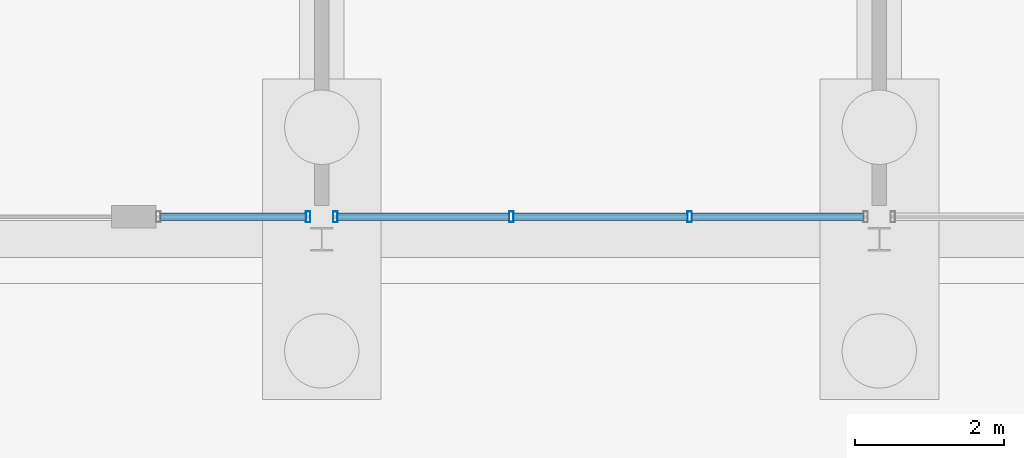
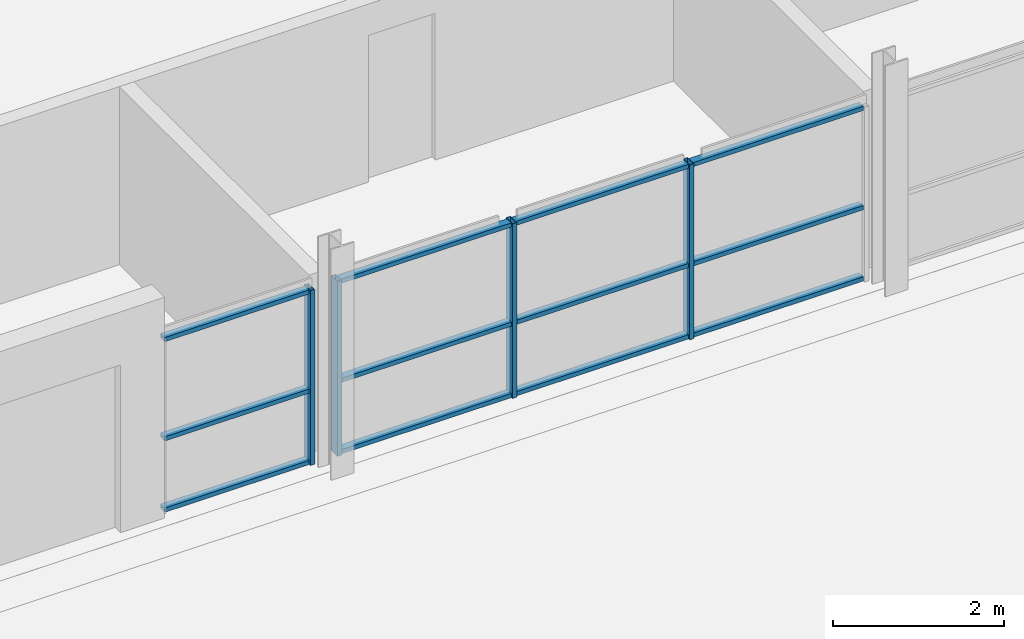
# One storey, part 61 of 130: 16 members, 2 elements without a shape of their own.
"""IFC4 building model written with IfcOpenShell, lengths in metres."""

from ifc_helpers import new_model, si_unit, direction, frame, origin, origin_2d, place, context, subcontext, project, spatial, hollow_rectangle, extrude, material, material_profile, profile_set, type_object, element, aggregate, save


model = new_model("IFC4")

# Units and contexts
model_context = context("Model", 3, precision=1e-05, world=origin(), true_north=direction((0.0, 1.0)))
body_context = subcontext(model_context, "Body", "Model", "MODEL_VIEW")
ifc_project = project(units=[si_unit("LENGTHUNIT", "METRE"), si_unit("AREAUNIT", "SQUARE_METRE"), si_unit("VOLUMEUNIT", "CUBIC_METRE"), si_unit("PLANEANGLEUNIT", "RADIAN"), si_unit("MASSUNIT", "GRAM", prefix="KILO")], contexts=[model_context])

# Site, building, storey
site_placement = place(None, origin())
site = spatial("IfcSite", under=ifc_project, at=site_placement, CompositionType="ELEMENT")
building_placement = place(site_placement, origin())
building = spatial("IfcBuilding", under=site, at=building_placement, Name="Parallax Yard Mobility Hub", CompositionType="ELEMENT")
storey_placement = place(building_placement, origin())
storey = spatial("IfcBuildingStorey", under=building, at=storey_placement, Name="L00", CompositionType="ELEMENT", Elevation=0.0)

# Curtain wall, member
ifc_material_1 = material(Name="Aluminium and glass curtain wall", Category="aluminium")
curtain_wall_type = type_object("IfcCurtainWallType", Name="Curtain wall, aluminium stick system", PredefinedType="NOTDEFINED", material=ifc_material_1)
curtain_wall_1_placement = place(storey_placement, origin())
curtain_wall_1 = element("IfcCurtainWall", 1, at=curtain_wall_1_placement, inside=storey, type_object=curtain_wall_type, Name="Curtain wall CW21 level L00 bay 15", PredefinedType="NOTDEFINED")
ifc_material_2 = material(Name="Aluminium 6063-T6 anodised", Category="aluminium")
ifc_material_profile_1 = material_profile(ifc_material_2, hollow_rectangle(XDim=0.14990234375, YDim=0.06005859375, WallThickness=0.00390625, at=origin_2d()), Name="RHS 60x150x4")
ifc_profile_set_1 = profile_set([ifc_material_profile_1], Name="Aluminium 6063-T6 anodised")
member_type_1 = type_object("IfcMemberType", Name="Curtain wall mullion RHS 60x150x4", PredefinedType="MULLION", material=ifc_profile_set_1)
member_1_placement = place(storey_placement, frame((157.31640625, 112.800048828125, 0.0), z_axis=(0.0, 0.0, 1.0), x_axis=(0.0, 1.0, 0.0)))
member_1 = element("IfcMember", 2, at=member_1_placement, type_object=member_type_1, Name="CW21 mullion 2", PredefinedType="MULLION", context=body_context, shape_type="SweptSolid", body=[
    extrude(hollow_rectangle(XDim=0.14990234375, YDim=0.06005859375, WallThickness=0.00390625, at=origin_2d()), origin(), (0.0, 0.0, 1.0), 2.5),
])

# Curtain wall, members
curtain_wall_2_placement = place(storey_placement, origin())
curtain_wall_2 = element("IfcCurtainWall", 3, at=curtain_wall_2_placement, inside=storey, type_object=curtain_wall_type, Name="Curtain wall CW22 level L00 bay 16", PredefinedType="NOTDEFINED")
member_2_placement = place(storey_placement, frame((157.68359375, 112.800048828125, 0.0), z_axis=(0.0, 0.0, 1.0), x_axis=(0.0, 1.0, 0.0)))
member_2 = element("IfcMember", 4, at=member_2_placement, type_object=member_type_1, Name="CW22 mullion 1", PredefinedType="MULLION", context=body_context, shape_type="SweptSolid", body=[
    extrude(hollow_rectangle(XDim=0.14990234375, YDim=0.06005859375, WallThickness=0.00390625, at=origin_2d()), origin(), (0.0, 0.0, 1.0), 2.5),
])
member_3_placement = place(storey_placement, frame((160.05126953125, 112.800048828125, 0.0), z_axis=(0.0, 0.0, 1.0), x_axis=(0.0, 1.0, 0.0)))
member_3 = element("IfcMember", 5, at=member_3_placement, type_object=member_type_1, Name="CW22 mullion 2", PredefinedType="MULLION", context=body_context, shape_type="SweptSolid", body=[
    extrude(hollow_rectangle(XDim=0.14990234375, YDim=0.06005859375, WallThickness=0.00390625, at=origin_2d()), origin(), (0.0, 0.0, 1.0), 2.5),
])
member_4_placement = place(storey_placement, frame((162.44873046875, 112.800048828125, 0.0), z_axis=(0.0, 0.0, 1.0), x_axis=(0.0, 1.0, 0.0)))
member_4 = element("IfcMember", 6, at=member_4_placement, type_object=member_type_1, Name="CW22 mullion 3", PredefinedType="MULLION", context=body_context, shape_type="SweptSolid", body=[
    extrude(hollow_rectangle(XDim=0.14990234375, YDim=0.06005859375, WallThickness=0.00390625, at=origin_2d()), origin(), (0.0, 0.0, 1.0), 2.5),
])

# Member
ifc_material_profile_2 = material_profile(ifc_material_2, hollow_rectangle(XDim=0.10009765625, YDim=0.06005859375, WallThickness=0.00390625, at=origin_2d()), Name="RHS 60x100x4")
ifc_profile_set_2 = profile_set([ifc_material_profile_2], Name="Aluminium 6063-T6 anodised")
member_type_2 = type_object("IfcMemberType", Name="Curtain wall transom RHS 60x100x4", PredefinedType="USERDEFINED", material=ifc_profile_set_2)
member_5_placement = place(storey_placement, frame((155.331787109375, 112.800048828125, 0.030029296875), z_axis=(1.0, 0.0, 0.0), x_axis=(0.0, 1.0, 0.0)))
member_5 = element("IfcMember", 7, at=member_5_placement, type_object=member_type_2, Name="CW21 transom 1.1", ObjectType="TRANSOM", PredefinedType="USERDEFINED", context=body_context, shape_type="SweptSolid", body=[
    extrude(hollow_rectangle(XDim=0.10009765625, YDim=0.06005859375, WallThickness=0.00390625, at=origin_2d()), origin(), (0.0, 0.0, 1.0), 1.954833984375),
])

member_6_placement = place(storey_placement, frame((155.331787109375, 112.800048828125, 1.050048828125), z_axis=(1.0, 0.0, 0.0), x_axis=(0.0, 1.0, 0.0)))
member_6 = element("IfcMember", 8, at=member_6_placement, type_object=member_type_2, Name="CW21 transom 1.2", ObjectType="TRANSOM", PredefinedType="USERDEFINED", context=body_context, shape_type="SweptSolid", body=[
    extrude(hollow_rectangle(XDim=0.10009765625, YDim=0.06005859375, WallThickness=0.00390625, at=origin_2d()), origin(), (0.0, 0.0, 1.0), 1.954833984375),
])

member_7_placement = place(storey_placement, frame((155.331787109375, 112.800048828125, 2.469970703125), z_axis=(1.0, 0.0, 0.0), x_axis=(0.0, 1.0, 0.0)))
member_7 = element("IfcMember", 9, at=member_7_placement, type_object=member_type_2, Name="CW21 transom 1.3", ObjectType="TRANSOM", PredefinedType="USERDEFINED", context=body_context, shape_type="SweptSolid", body=[
    extrude(hollow_rectangle(XDim=0.10009765625, YDim=0.06005859375, WallThickness=0.00390625, at=origin_2d()), origin(), (0.0, 0.0, 1.0), 1.954833984375),
])

aggregate(curtain_wall_1, [member_1, member_5, member_6, member_7])

member_8_placement = place(storey_placement, frame((157.71337890625, 112.800048828125, 0.030029296875), z_axis=(1.0, 0.0, 0.0), x_axis=(0.0, 1.0, 0.0)))
member_8 = element("IfcMember", 10, at=member_8_placement, type_object=member_type_2, Name="CW22 transom 1.1", ObjectType="TRANSOM", PredefinedType="USERDEFINED", context=body_context, shape_type="SweptSolid", body=[
    extrude(hollow_rectangle(XDim=0.10009765625, YDim=0.06005859375, WallThickness=0.00390625, at=origin_2d()), origin(), (0.0, 0.0, 1.0), 2.307861328125),
])

member_9_placement = place(storey_placement, frame((157.71337890625, 112.800048828125, 1.050048828125), z_axis=(1.0, 0.0, 0.0), x_axis=(0.0, 1.0, 0.0)))
member_9 = element("IfcMember", 11, at=member_9_placement, type_object=member_type_2, Name="CW22 transom 1.2", ObjectType="TRANSOM", PredefinedType="USERDEFINED", context=body_context, shape_type="SweptSolid", body=[
    extrude(hollow_rectangle(XDim=0.10009765625, YDim=0.06005859375, WallThickness=0.00390625, at=origin_2d()), origin(), (0.0, 0.0, 1.0), 2.307861328125),
])

member_10_placement = place(storey_placement, frame((157.71337890625, 112.800048828125, 2.469970703125), z_axis=(1.0, 0.0, 0.0), x_axis=(0.0, 1.0, 0.0)))
member_10 = element("IfcMember", 12, at=member_10_placement, type_object=member_type_2, Name="CW22 transom 1.3", ObjectType="TRANSOM", PredefinedType="USERDEFINED", context=body_context, shape_type="SweptSolid", body=[
    extrude(hollow_rectangle(XDim=0.10009765625, YDim=0.06005859375, WallThickness=0.00390625, at=origin_2d()), origin(), (0.0, 0.0, 1.0), 2.307861328125),
])

member_11_placement = place(storey_placement, frame((160.0810546875, 112.800048828125, 0.030029296875), z_axis=(1.0, 0.0, 0.0), x_axis=(0.0, 1.0, 0.0)))
member_11 = element("IfcMember", 13, at=member_11_placement, type_object=member_type_2, Name="CW22 transom 2.1", ObjectType="TRANSOM", PredefinedType="USERDEFINED", context=body_context, shape_type="SweptSolid", body=[
    extrude(hollow_rectangle(XDim=0.10009765625, YDim=0.06005859375, WallThickness=0.00390625, at=origin_2d()), origin(), (0.0, 0.0, 1.0), 2.337890625),
])

member_12_placement = place(storey_placement, frame((160.0810546875, 112.800048828125, 1.050048828125), z_axis=(1.0, 0.0, 0.0), x_axis=(0.0, 1.0, 0.0)))
member_12 = element("IfcMember", 14, at=member_12_placement, type_object=member_type_2, Name="CW22 transom 2.2", ObjectType="TRANSOM", PredefinedType="USERDEFINED", context=body_context, shape_type="SweptSolid", body=[
    extrude(hollow_rectangle(XDim=0.10009765625, YDim=0.06005859375, WallThickness=0.00390625, at=origin_2d()), origin(), (0.0, 0.0, 1.0), 2.337890625),
])

member_13_placement = place(storey_placement, frame((160.0810546875, 112.800048828125, 2.469970703125), z_axis=(1.0, 0.0, 0.0), x_axis=(0.0, 1.0, 0.0)))
member_13 = element("IfcMember", 15, at=member_13_placement, type_object=member_type_2, Name="CW22 transom 2.3", ObjectType="TRANSOM", PredefinedType="USERDEFINED", context=body_context, shape_type="SweptSolid", body=[
    extrude(hollow_rectangle(XDim=0.10009765625, YDim=0.06005859375, WallThickness=0.00390625, at=origin_2d()), origin(), (0.0, 0.0, 1.0), 2.337890625),
])

member_14_placement = place(storey_placement, frame((162.478759765625, 112.800048828125, 0.030029296875), z_axis=(1.0, 0.0, 0.0), x_axis=(0.0, 1.0, 0.0)))
member_14 = element("IfcMember", 16, at=member_14_placement, type_object=member_type_2, Name="CW22 transom 3.1", ObjectType="TRANSOM", PredefinedType="USERDEFINED", context=body_context, shape_type="SweptSolid", body=[
    extrude(hollow_rectangle(XDim=0.10009765625, YDim=0.06005859375, WallThickness=0.00390625, at=origin_2d()), origin(), (0.0, 0.0, 1.0), 2.307861328125),
])

member_15_placement = place(storey_placement, frame((162.478759765625, 112.800048828125, 1.050048828125), z_axis=(1.0, 0.0, 0.0), x_axis=(0.0, 1.0, 0.0)))
member_15 = element("IfcMember", 17, at=member_15_placement, type_object=member_type_2, Name="CW22 transom 3.2", ObjectType="TRANSOM", PredefinedType="USERDEFINED", context=body_context, shape_type="SweptSolid", body=[
    extrude(hollow_rectangle(XDim=0.10009765625, YDim=0.06005859375, WallThickness=0.00390625, at=origin_2d()), origin(), (0.0, 0.0, 1.0), 2.307861328125),
])

member_16_placement = place(storey_placement, frame((162.478759765625, 112.800048828125, 2.469970703125), z_axis=(1.0, 0.0, 0.0), x_axis=(0.0, 1.0, 0.0)))
member_16 = element("IfcMember", 18, at=member_16_placement, type_object=member_type_2, Name="CW22 transom 3.3", ObjectType="TRANSOM", PredefinedType="USERDEFINED", context=body_context, shape_type="SweptSolid", body=[
    extrude(hollow_rectangle(XDim=0.10009765625, YDim=0.06005859375, WallThickness=0.00390625, at=origin_2d()), origin(), (0.0, 0.0, 1.0), 2.307861328125),
])

aggregate(curtain_wall_2, [member_2, member_3, member_4, member_8, member_9, member_10, member_11, member_12, member_13, member_14, member_15, member_16])

save(model, "model.ifc")
